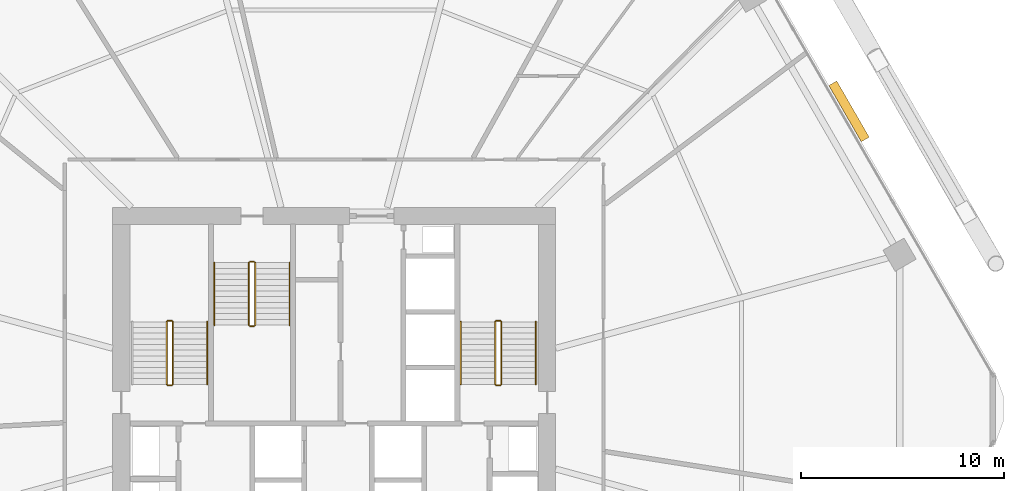
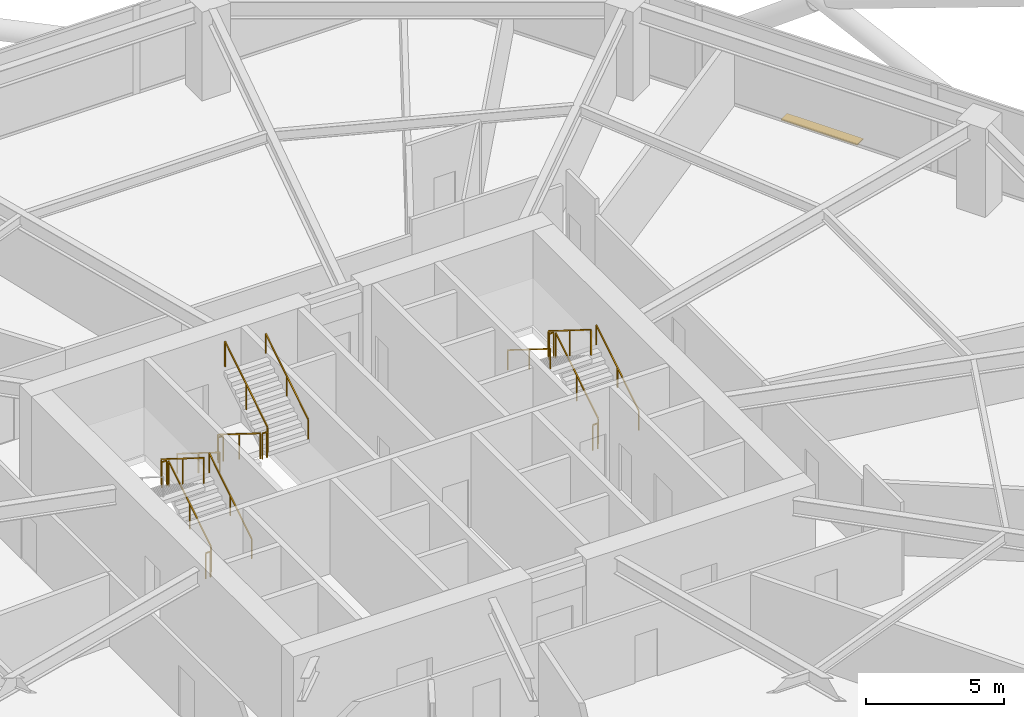
# One storey, part 29 of 30: 17 railings, 1 shading device.
"""IFC4 building model written with IfcOpenShell, lengths in metres."""

from ifc_helpers import new_model, si_unit, direction, frame, origin, origin_2d, place, context, subcontext, project, spatial, rectangle, extrude, material, layer, layer_set, type_object, element, save


model = new_model("IFC4")

# Units and contexts
model_context = context("Model", 3, precision=1e-05, world=origin(), true_north=direction((0.0, 1.0)))
body_context = subcontext(model_context, "Body", "Model", "MODEL_VIEW")
ifc_project = project(units=[si_unit("LENGTHUNIT", "METRE"), si_unit("AREAUNIT", "SQUARE_METRE"), si_unit("VOLUMEUNIT", "CUBIC_METRE"), si_unit("PLANEANGLEUNIT", "RADIAN"), si_unit("MASSUNIT", "GRAM", prefix="KILO")], contexts=[model_context])

# Site, building, storey
site_placement = place(None, origin())
site = spatial("IfcSite", under=ifc_project, at=site_placement, CompositionType="ELEMENT")
building_placement = place(site_placement, origin())
building = spatial("IfcBuilding", under=site, at=building_placement, Name="Zuhravey Tower", CompositionType="ELEMENT")
storey_placement = place(building_placement, frame((0.0, 0.0, 33.0)))
storey = spatial("IfcBuildingStorey", under=building, at=storey_placement, Name="L08", CompositionType="ELEMENT", Elevation=33.0)

# Shading device
ifc_material_1 = material(Name="Bronze-anodised extruded aluminium", Category="aluminium")
ifc_layer = layer(ifc_material_1, 0.0400390625)
ifc_layer_set = layer_set([ifc_layer], Name="Bronze-anodised extruded aluminium")
shading_device_type = type_object("IfcShadingDeviceType", Name="Horizontal Sunshade Fin", PredefinedType="JALOUSIE", material=ifc_layer_set)
shading_device_placement = place(storey_placement, frame((61.394775390625, 46.66162109375, -0.10009765625), z_axis=(0.0, 0.0, 1.0), x_axis=(0.5, -0.866025403784, 0.0)))
element("IfcShadingDevice", 1, at=shading_device_placement, inside=storey, type_object=shading_device_type, Name="L08 Face 1 Horizontal Sunshade Fin SUN1", PredefinedType="JALOUSIE", context=body_context, shape_type="SweptSolid", body=[
    extrude(rectangle(XDim=3.199951171875, YDim=0.449951171875, at=origin_2d()), origin(), (0.0, 0.0, 1.0), 0.0400390625),
])

# Railings
ifc_material_2 = material(Name="Brushed stainless steel", Category="steel")
railing_type_1 = type_object("IfcRailingType", Name="Stair Wall Handrail 900", PredefinedType="HANDRAIL", material=ifc_material_2)
for number, where, name in (
    (2, (29.75, 33.199951171875, 0.175048828125), "L08 ST1 stair handrail 1"),
    (3, (45.949951171875, 33.199951171875, 0.175048828125), "L08 ST2 stair handrail 1"),
):
    element("IfcRailing", number, at=place(storey_placement, frame(where)), inside=storey, type_object=railing_type_1, Name=name, PredefinedType="HANDRAIL", context=body_context, shape_type="SweptSolid", body=[
        extrude(rectangle(XDim=0.048095703125, YDim=0.048095703125, at=origin_2d()), frame((0.0, 0.001708984375, 0.876953125), z_axis=(0.0, 0.847998304005, 0.529998940003), x_axis=(-1.0, 0.0, 0.0)), (0.0, 0.0, 1.0), 3.628173828125),
        extrude(rectangle(XDim=0.0419921875, YDim=0.0419921875, at=origin_2d()), origin(), (0.0, 0.0, 1.0), 0.849853515625),
        extrude(rectangle(XDim=0.0419921875, YDim=0.0419921875, at=origin_2d()), frame((0.0, 1.5400390625, 0.96240234375)), (0.0, 0.0, 1.0), 0.849853515625),
        extrude(rectangle(XDim=0.0419921875, YDim=0.0419921875, at=origin_2d()), frame((0.0, 3.080078125, 1.925048828125)), (0.0, 0.0, 1.0), 0.849853515625),
    ])
railing_1_placement = place(storey_placement, frame((42.25, 36.280029296875, 2.27490234375)))
element("IfcRailing", 4, at=railing_1_placement, inside=storey, type_object=railing_type_1, Name="L08 ST2 stair handrail 2", PredefinedType="HANDRAIL", context=body_context, shape_type="SweptSolid", body=[
    extrude(rectangle(XDim=0.048095703125, YDim=0.048095703125, at=origin_2d()), frame((0.0, -0.001708984375, 0.876953125), z_axis=(0.0, -0.847998304005, 0.529998940003), x_axis=(1.0, 0.0, 0.0)), (0.0, 0.0, 1.0), 3.628173828125),
    extrude(rectangle(XDim=0.0419921875, YDim=0.0419921875, at=origin_2d()), origin(), (0.0, 0.0, 1.0), 0.849853515625),
    extrude(rectangle(XDim=0.0419921875, YDim=0.0419921875, at=origin_2d()), frame((0.0, -1.5400390625, 0.96240234375)), (0.0, 0.0, 1.0), 0.849853515625),
    extrude(rectangle(XDim=0.0419921875, YDim=0.0419921875, at=origin_2d()), frame((0.0, -3.080078125, 1.925048828125)), (0.0, 0.0, 1.0), 0.849853515625),
])
railing_2_placement = place(storey_placement, frame((30.10009765625, 39.199951171875, 0.175048828125)))
element("IfcRailing", 5, at=railing_2_placement, inside=storey, type_object=railing_type_1, Name="L08 ST3 stair handrail 1", PredefinedType="HANDRAIL", context=body_context, shape_type="SweptSolid", body=[
    extrude(rectangle(XDim=0.048095703125, YDim=0.048095703125, at=origin_2d()), frame((0.0, -0.001708984375, 0.876953125), z_axis=(0.0, -0.847979421464, 0.530029150871), x_axis=(1.0, 0.0, 0.0)), (0.0, 0.0, 1.0), 3.6279296875),
    extrude(rectangle(XDim=0.0419921875, YDim=0.0419921875, at=origin_2d()), origin(), (0.0, 0.0, 1.0), 0.849853515625),
    extrude(rectangle(XDim=0.0419921875, YDim=0.0419921875, at=origin_2d()), frame((0.0, -1.5400390625, 0.96240234375)), (0.0, 0.0, 1.0), 0.849853515625),
    extrude(rectangle(XDim=0.0419921875, YDim=0.0419921875, at=origin_2d()), frame((0.0, -3.079833984375, 1.925048828125)), (0.0, 0.0, 1.0), 0.849853515625),
])
railing_3_placement = place(storey_placement, frame((33.800048828125, 36.1201171875, 2.27490234375)))
element("IfcRailing", 6, at=railing_3_placement, inside=storey, type_object=railing_type_1, Name="L08 ST3 stair handrail 2", PredefinedType="HANDRAIL", context=body_context, shape_type="SweptSolid", body=[
    extrude(rectangle(XDim=0.048095703125, YDim=0.048095703125, at=origin_2d()), frame((0.0, 0.001708984375, 0.876953125), z_axis=(0.0, 0.847979421464, 0.530029150871), x_axis=(-1.0, 0.0, 0.0)), (0.0, 0.0, 1.0), 3.6279296875),
    extrude(rectangle(XDim=0.0419921875, YDim=0.0419921875, at=origin_2d()), origin(), (0.0, 0.0, 1.0), 0.849853515625),
    extrude(rectangle(XDim=0.0419921875, YDim=0.0419921875, at=origin_2d()), frame((0.0, 1.5400390625, 0.96240234375)), (0.0, 0.0, 1.0), 0.849853515625),
    extrude(rectangle(XDim=0.0419921875, YDim=0.0419921875, at=origin_2d()), frame((0.0, 3.079833984375, 1.925048828125)), (0.0, 0.0, 1.0), 0.849853515625),
])
ifc_material_3 = material(Name="Painted tubular steel", Category="steel")
railing_type_2 = type_object("IfcRailingType", Name="Stair Well Guardrail 1150", PredefinedType="GUARDRAIL", material=ifc_material_3)
railing_4_placement = place(storey_placement, frame((28.050048828125, 33.199951171875, 0.175048828125)))
element("IfcRailing", 7, at=railing_4_placement, inside=storey, type_object=railing_type_2, Name="L08 ST1 stair guard 1", PredefinedType="GUARDRAIL", context=body_context, shape_type="SweptSolid", body=[
    extrude(rectangle(XDim=0.048095703125, YDim=0.048095703125, at=origin_2d()), frame((0.0, 0.001708984375, 1.126953125), z_axis=(0.0, 0.847998304005, 0.529998940003), x_axis=(-1.0, 0.0, 0.0)), (0.0, 0.0, 1.0), 3.628173828125),
    extrude(rectangle(XDim=0.0419921875, YDim=0.0419921875, at=origin_2d()), origin(), (0.0, 0.0, 1.0), 1.099853515625),
    extrude(rectangle(XDim=0.0419921875, YDim=0.0419921875, at=origin_2d()), frame((0.0, 1.5400390625, 0.96240234375)), (0.0, 0.0, 1.0), 1.099853515625),
    extrude(rectangle(XDim=0.0419921875, YDim=0.0419921875, at=origin_2d()), frame((0.0, 3.080078125, 1.925048828125)), (0.0, 0.0, 1.0), 1.099853515625),
])
railing_5_placement = place(storey_placement, frame((28.0, 36.330078125, 2.10009765625)))
element("IfcRailing", 8, at=railing_5_placement, inside=storey, type_object=railing_type_2, Name="L08 ST1 stair guard 2", PredefinedType="GUARDRAIL", context=body_context, shape_type="SweptSolid", body=[
    extrude(rectangle(XDim=0.048095703125, YDim=0.048095703125, at=origin_2d()), frame((-0.001953125, 0.0, 1.1259765625), z_axis=(-1.0, 0.0, 0.0), x_axis=(0.0, -1.0, 0.0)), (0.0, 0.0, 1.0), 0.196044921875),
    extrude(rectangle(XDim=0.0419921875, YDim=0.0419921875, at=origin_2d()), origin(), (0.0, 0.0, 1.0), 1.099853515625),
    extrude(rectangle(XDim=0.0419921875, YDim=0.0419921875, at=origin_2d()), frame((-0.199951171875, 0.0, 0.0)), (0.0, 0.0, 1.0), 1.099853515625),
])
railing_6_placement = place(storey_placement, frame((27.75, 36.280029296875, 2.27490234375)))
element("IfcRailing", 9, at=railing_6_placement, inside=storey, type_object=railing_type_2, Name="L08 ST1 stair guard 3", PredefinedType="GUARDRAIL", context=body_context, shape_type="SweptSolid", body=[
    extrude(rectangle(XDim=0.048095703125, YDim=0.048095703125, at=origin_2d()), frame((0.0, -0.001708984375, 1.126953125), z_axis=(0.0, -0.847998304005, 0.529998940003), x_axis=(1.0, 0.0, 0.0)), (0.0, 0.0, 1.0), 3.628173828125),
    extrude(rectangle(XDim=0.0419921875, YDim=0.0419921875, at=origin_2d()), origin(), (0.0, 0.0, 1.0), 1.099853515625),
    extrude(rectangle(XDim=0.0419921875, YDim=0.0419921875, at=origin_2d()), frame((0.0, -1.5400390625, 0.96240234375)), (0.0, 0.0, 1.0), 1.099853515625),
    extrude(rectangle(XDim=0.0419921875, YDim=0.0419921875, at=origin_2d()), frame((0.0, -3.080078125, 1.925048828125)), (0.0, 0.0, 1.0), 1.099853515625),
])
railing_7_placement = place(storey_placement, frame((28.0, 33.14990234375, 0.0)))
element("IfcRailing", 10, at=railing_7_placement, inside=storey, type_object=railing_type_2, Name="L08 ST1 stair guard 4", PredefinedType="GUARDRAIL", context=body_context, shape_type="SweptSolid", body=[
    extrude(rectangle(XDim=0.048095703125, YDim=0.048095703125, at=origin_2d()), frame((-0.001953125, 0.0, 1.1259765625), z_axis=(-1.0, 0.0, 0.0), x_axis=(0.0, -1.0, 0.0)), (0.0, 0.0, 1.0), 0.196044921875),
    extrude(rectangle(XDim=0.0419921875, YDim=0.0419921875, at=origin_2d()), origin(), (0.0, 0.0, 1.0), 1.099853515625),
    extrude(rectangle(XDim=0.0419921875, YDim=0.0419921875, at=origin_2d()), frame((-0.199951171875, 0.0, 0.0)), (0.0, 0.0, 1.0), 1.099853515625),
])
railing_8_placement = place(storey_placement, frame((44.25, 33.199951171875, 0.175048828125)))
element("IfcRailing", 11, at=railing_8_placement, inside=storey, type_object=railing_type_2, Name="L08 ST2 stair guard 1", PredefinedType="GUARDRAIL", context=body_context, shape_type="SweptSolid", body=[
    extrude(rectangle(XDim=0.048095703125, YDim=0.048095703125, at=origin_2d()), frame((0.0, 0.001708984375, 1.126953125), z_axis=(0.0, 0.847998304005, 0.529998940003), x_axis=(-1.0, 0.0, 0.0)), (0.0, 0.0, 1.0), 3.628173828125),
    extrude(rectangle(XDim=0.0419921875, YDim=0.0419921875, at=origin_2d()), origin(), (0.0, 0.0, 1.0), 1.099853515625),
    extrude(rectangle(XDim=0.0419921875, YDim=0.0419921875, at=origin_2d()), frame((0.0, 1.5400390625, 0.96240234375)), (0.0, 0.0, 1.0), 1.099853515625),
    extrude(rectangle(XDim=0.0419921875, YDim=0.0419921875, at=origin_2d()), frame((0.0, 3.080078125, 1.925048828125)), (0.0, 0.0, 1.0), 1.099853515625),
])
railing_9_placement = place(storey_placement, frame((44.199951171875, 36.330078125, 2.10009765625)))
element("IfcRailing", 12, at=railing_9_placement, inside=storey, type_object=railing_type_2, Name="L08 ST2 stair guard 2", PredefinedType="GUARDRAIL", context=body_context, shape_type="SweptSolid", body=[
    extrude(rectangle(XDim=0.048095703125, YDim=0.048095703125, at=origin_2d()), frame((-0.001953125, 0.0, 1.1259765625), z_axis=(-1.0, 0.0, 0.0), x_axis=(0.0, -1.0, 0.0)), (0.0, 0.0, 1.0), 0.196044921875),
    extrude(rectangle(XDim=0.0419921875, YDim=0.0419921875, at=origin_2d()), origin(), (0.0, 0.0, 1.0), 1.099853515625),
    extrude(rectangle(XDim=0.0419921875, YDim=0.0419921875, at=origin_2d()), frame((-0.199951171875, 0.0, 0.0)), (0.0, 0.0, 1.0), 1.099853515625),
])
railing_10_placement = place(storey_placement, frame((43.949951171875, 36.280029296875, 2.27490234375)))
element("IfcRailing", 13, at=railing_10_placement, inside=storey, type_object=railing_type_2, Name="L08 ST2 stair guard 3", PredefinedType="GUARDRAIL", context=body_context, shape_type="SweptSolid", body=[
    extrude(rectangle(XDim=0.048095703125, YDim=0.048095703125, at=origin_2d()), frame((0.0, -0.001708984375, 1.126953125), z_axis=(0.0, -0.847998304005, 0.529998940003), x_axis=(1.0, 0.0, 0.0)), (0.0, 0.0, 1.0), 3.628173828125),
    extrude(rectangle(XDim=0.0419921875, YDim=0.0419921875, at=origin_2d()), origin(), (0.0, 0.0, 1.0), 1.099853515625),
    extrude(rectangle(XDim=0.0419921875, YDim=0.0419921875, at=origin_2d()), frame((0.0, -1.5400390625, 0.96240234375)), (0.0, 0.0, 1.0), 1.099853515625),
    extrude(rectangle(XDim=0.0419921875, YDim=0.0419921875, at=origin_2d()), frame((0.0, -3.080078125, 1.925048828125)), (0.0, 0.0, 1.0), 1.099853515625),
])
railing_11_placement = place(storey_placement, frame((44.199951171875, 33.14990234375, 0.0)))
element("IfcRailing", 14, at=railing_11_placement, inside=storey, type_object=railing_type_2, Name="L08 ST2 stair guard 4", PredefinedType="GUARDRAIL", context=body_context, shape_type="SweptSolid", body=[
    extrude(rectangle(XDim=0.048095703125, YDim=0.048095703125, at=origin_2d()), frame((-0.001953125, 0.0, 1.1259765625), z_axis=(-1.0, 0.0, 0.0), x_axis=(0.0, -1.0, 0.0)), (0.0, 0.0, 1.0), 0.196044921875),
    extrude(rectangle(XDim=0.0419921875, YDim=0.0419921875, at=origin_2d()), origin(), (0.0, 0.0, 1.0), 1.099853515625),
    extrude(rectangle(XDim=0.0419921875, YDim=0.0419921875, at=origin_2d()), frame((-0.199951171875, 0.0, 0.0)), (0.0, 0.0, 1.0), 1.099853515625),
])
railing_12_placement = place(storey_placement, frame((31.800048828125, 39.199951171875, 0.175048828125)))
element("IfcRailing", 15, at=railing_12_placement, inside=storey, type_object=railing_type_2, Name="L08 ST3 stair guard 1", PredefinedType="GUARDRAIL", context=body_context, shape_type="SweptSolid", body=[
    extrude(rectangle(XDim=0.048095703125, YDim=0.048095703125, at=origin_2d()), frame((0.0, -0.001708984375, 1.126953125), z_axis=(0.0, -0.847979421464, 0.530029150871), x_axis=(1.0, 0.0, 0.0)), (0.0, 0.0, 1.0), 3.6279296875),
    extrude(rectangle(XDim=0.0419921875, YDim=0.0419921875, at=origin_2d()), origin(), (0.0, 0.0, 1.0), 1.099853515625),
    extrude(rectangle(XDim=0.0419921875, YDim=0.0419921875, at=origin_2d()), frame((0.0, -1.5400390625, 0.96240234375)), (0.0, 0.0, 1.0), 1.099853515625),
    extrude(rectangle(XDim=0.0419921875, YDim=0.0419921875, at=origin_2d()), frame((0.0, -3.079833984375, 1.925048828125)), (0.0, 0.0, 1.0), 1.099853515625),
])
railing_13_placement = place(storey_placement, frame((31.85009765625, 36.070068359375, 2.10009765625)))
element("IfcRailing", 16, at=railing_13_placement, inside=storey, type_object=railing_type_2, Name="L08 ST3 stair guard 2", PredefinedType="GUARDRAIL", context=body_context, shape_type="SweptSolid", body=[
    extrude(rectangle(XDim=0.048095703125, YDim=0.048095703125, at=origin_2d()), frame((0.001953125, 0.0, 1.1259765625), z_axis=(1.0, 0.0, 0.0), x_axis=(0.0, 1.0, 0.0)), (0.0, 0.0, 1.0), 0.196044921875),
    extrude(rectangle(XDim=0.0419921875, YDim=0.0419921875, at=origin_2d()), origin(), (0.0, 0.0, 1.0), 1.099853515625),
    extrude(rectangle(XDim=0.0419921875, YDim=0.0419921875, at=origin_2d()), frame((0.199951171875, 0.0, 0.0)), (0.0, 0.0, 1.0), 1.099853515625),
])
railing_14_placement = place(storey_placement, frame((32.10009765625, 36.1201171875, 2.27490234375)))
element("IfcRailing", 17, at=railing_14_placement, inside=storey, type_object=railing_type_2, Name="L08 ST3 stair guard 3", PredefinedType="GUARDRAIL", context=body_context, shape_type="SweptSolid", body=[
    extrude(rectangle(XDim=0.048095703125, YDim=0.048095703125, at=origin_2d()), frame((0.0, 0.001708984375, 1.126953125), z_axis=(0.0, 0.847979421464, 0.530029150871), x_axis=(-1.0, 0.0, 0.0)), (0.0, 0.0, 1.0), 3.6279296875),
    extrude(rectangle(XDim=0.0419921875, YDim=0.0419921875, at=origin_2d()), origin(), (0.0, 0.0, 1.0), 1.099853515625),
    extrude(rectangle(XDim=0.0419921875, YDim=0.0419921875, at=origin_2d()), frame((0.0, 1.5400390625, 0.96240234375)), (0.0, 0.0, 1.0), 1.099853515625),
    extrude(rectangle(XDim=0.0419921875, YDim=0.0419921875, at=origin_2d()), frame((0.0, 3.079833984375, 1.925048828125)), (0.0, 0.0, 1.0), 1.099853515625),
])
railing_15_placement = place(storey_placement, frame((31.85009765625, 39.25, 0.0)))
element("IfcRailing", 18, at=railing_15_placement, inside=storey, type_object=railing_type_2, Name="L08 ST3 stair guard 4", PredefinedType="GUARDRAIL", context=body_context, shape_type="SweptSolid", body=[
    extrude(rectangle(XDim=0.048095703125, YDim=0.048095703125, at=origin_2d()), frame((0.001953125, 0.0, 1.1259765625), z_axis=(1.0, 0.0, 0.0), x_axis=(0.0, 1.0, 0.0)), (0.0, 0.0, 1.0), 0.196044921875),
    extrude(rectangle(XDim=0.0419921875, YDim=0.0419921875, at=origin_2d()), origin(), (0.0, 0.0, 1.0), 1.099853515625),
    extrude(rectangle(XDim=0.0419921875, YDim=0.0419921875, at=origin_2d()), frame((0.199951171875, 0.0, 0.0)), (0.0, 0.0, 1.0), 1.099853515625),
])

save(model, "model.ifc")
